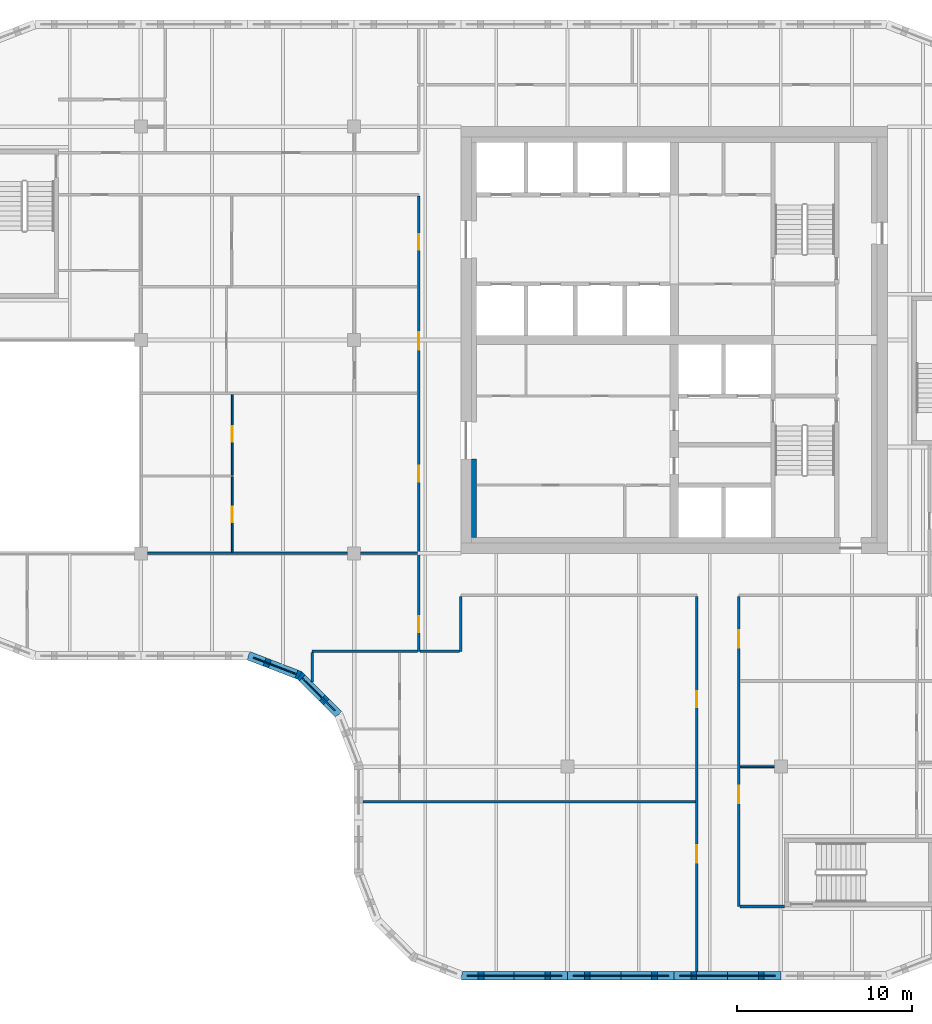
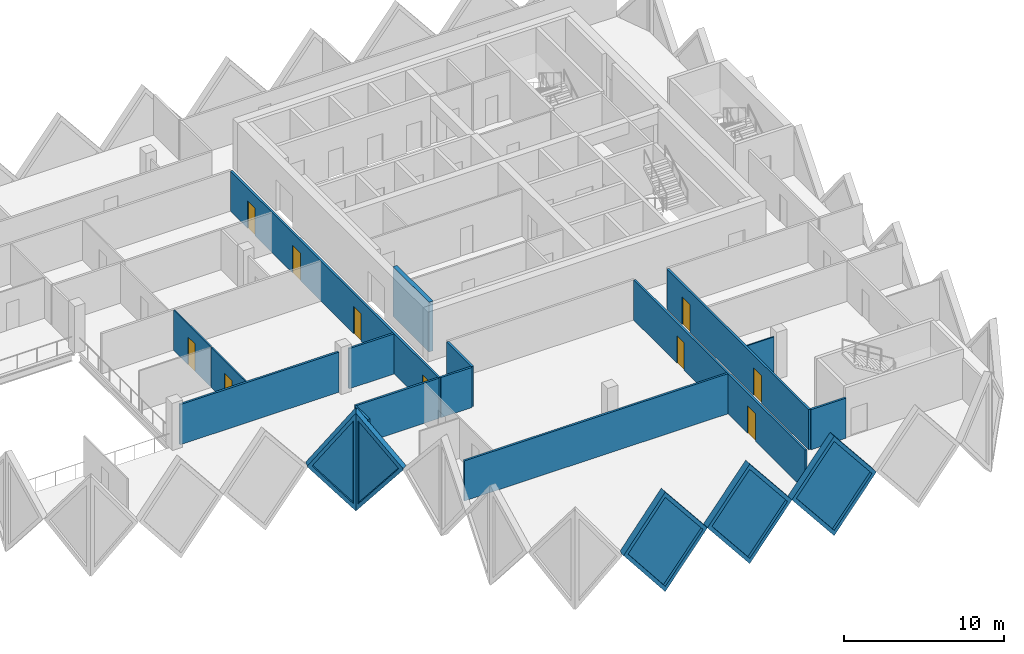
# One storey, part 4 of 12: 20 walls, 10 doors, 5 plates, 15 openings.
"""IFC4 building model written with IfcOpenShell, lengths in metres."""

from ifc_helpers import new_model, si_unit, direction, frame, frame_2d, origin, place, context, subcontext, project, spatial, polyline, rectangle, outline, extrude, faceted_brep, source, transform, mapped, material, layer, layer_set, type_object, element, fill, save


model = new_model("IFC4")

# Units and contexts
model_context = context("Model", 3, precision=1e-05, world=origin(), true_north=direction((0.0, 1.0)))
body_context = subcontext(model_context, "Body", "Model", "MODEL_VIEW")
ifc_project = project(units=[si_unit("LENGTHUNIT", "METRE"), si_unit("AREAUNIT", "SQUARE_METRE"), si_unit("VOLUMEUNIT", "CUBIC_METRE"), si_unit("PLANEANGLEUNIT", "RADIAN"), si_unit("MASSUNIT", "GRAM", prefix="KILO")], contexts=[model_context])

# Site, building, storey
site_placement = place(None, origin())
site = spatial("IfcSite", under=ifc_project, at=site_placement, CompositionType="ELEMENT")
building_placement = place(site_placement, origin())
building = spatial("IfcBuilding", under=site, at=building_placement, Name="Tessera Gate Towers", CompositionType="ELEMENT")
storey_placement = place(building_placement, frame((0.0, 0.0, 182.0)))
storey = spatial("IfcBuildingStorey", under=building, at=storey_placement, Name="L45", CompositionType="ELEMENT", Elevation=182.0)

# Wall
ifc_material_1 = material(Name="Concrete C50/60", Category="concrete")
ifc_layer_1 = layer(ifc_material_1, 0.300048828125)
ifc_layer_set_1 = layer_set([ifc_layer_1], Name="CORE WALL THICKENING 300")
wall_type_1 = type_object("IfcWallType", Name="CORE WALL THICKENING 300", PredefinedType="SOLIDWALL", material=ifc_layer_set_1)
wall_1_placement = place(storey_placement, frame((31.25, 25.300048828125, 0.0), z_axis=(0.0, 0.0, 1.0), x_axis=(0.0, 1.0, 0.0)))
element("IfcWall", 1, at=wall_1_placement, inside=storey, type_object=wall_type_1, Name="Core wall thickening W L45", PredefinedType="SOLIDWALL", context=body_context, shape_type="SweptSolid", body=[
    extrude(rectangle(XDim=4.5, YDim=0.300048828125, at=frame_2d((2.25, 0.0))), origin(), (0.0, 0.0, 1.0), 3.800048828125),
])

# Wall, openings, doors
ifc_material_2 = material(Name="Gypsum board on steel studs, mineral wool", Category="steel")
ifc_layer_2 = layer(ifc_material_2, 0.14990234375)
ifc_layer_set_2 = layer_set([ifc_layer_2], Name="CORRIDOR WALL 150")
wall_type_2 = type_object("IfcWallType", Name="CORRIDOR WALL 150", PredefinedType="PARTITIONING", material=ifc_layer_set_2)
wall_2_placement = place(storey_placement, frame((44.0, 0.5, 0.0), z_axis=(0.0, 0.0, 1.0), x_axis=(0.0, 1.0, 0.0)))
wall_2 = element("IfcWall", 2, at=wall_2_placement, inside=storey, type_object=wall_type_2, Name="T1-L45-PW-001", PredefinedType="PARTITIONING", context=body_context, shape_type="SweptSolid", body=[
    extrude(rectangle(XDim=21.424072265625, YDim=0.14990234375, at=frame_2d((10.7119140625, 0.0))), origin(), (0.0, 0.0, 1.0), 3.06689453125),
])
shared_shape_1 = source(origin(), body_context, "Body", "SweptSolid", [
    extrude(rectangle(XDim=1.0, YDim=2.10009765625, at=frame_2d((0.5, 1.050048828125))), frame((0.0, 0.0849609375, 0.0), z_axis=(0.0, -1.0, 0.0), x_axis=(1.0, 0.0, 0.0)), (0.0, 0.0, 1.0), 0.169921875),
])
opening_1_placement = place(wall_2_placement, frame((6.199951171875, 0.0, 0.0)))
opening_1 = element("IfcOpeningElement", 3, at=opening_1_placement, cuts=wall_2, Name="Opening D2100FD60-A16-02", PredefinedType="OPENING", context=body_context, shape_type="MappedRepresentation", body=[
    mapped(shared_shape_1, transform((0.0, 0.0, 0.0), scale=1.0)),
])
shared_shape_2 = source(origin(), body_context, "Body", "SweptSolid", [
    extrude(rectangle(XDim=0.89990234375, YDim=2.10009765625, at=frame_2d((0.449951171875, 1.050048828125))), frame((0.0, 0.0849609375, 0.0), z_axis=(0.0, -1.0, 0.0), x_axis=(1.0, 0.0, 0.0)), (0.0, 0.0, 1.0), 0.169921875),
])
opening_2_placement = place(wall_2_placement, frame((15.10009765625, 0.0, 0.0)))
opening_2 = element("IfcOpeningElement", 4, at=opening_2_placement, cuts=wall_2, Name="Opening D890FD60-A16-06", PredefinedType="OPENING", context=body_context, shape_type="MappedRepresentation", body=[
    mapped(shared_shape_2, transform((0.0, 0.0, 0.0), scale=1.0)),
])
ifc_material_3 = material(Name="Timber door leaf in steel frame", Category="steel")
door_type_1 = type_object("IfcDoorType", Name="CORRIDOR DOOR 900 FD60", OperationType="NOTDEFINED", PredefinedType="DOOR", material=ifc_material_3)
shared_shape_3 = source(origin(), body_context, "Body", "SweptSolid", [
    extrude(rectangle(XDim=0.89990234375, YDim=2.10009765625, at=frame_2d((0.449951171875, 1.050048828125))), frame((0.0, 0.02490234375, 0.0), z_axis=(0.0, -1.0, 0.0), x_axis=(1.0, 0.0, 0.0)), (0.0, 0.0, 1.0), 0.050048828125),
])
door_1_placement = place(opening_2_placement, origin())
door_1 = element("IfcDoor", 5, at=door_1_placement, inside=storey, type_object=door_type_1, Name="T1-L45-PD-023", OperationType="SINGLE_SWING_LEFT", OverallHeight=2.10009765625, OverallWidth=0.89990234375, PredefinedType="DOOR", context=body_context, shape_type="MappedRepresentation", body=[
    mapped(shared_shape_3, transform((0.0, 0.0, 0.0), scale=1.0)),
])
fill(opening_2, door_1)
ifc_material_4 = material(Name="Timber door leaf in steel frame", Category="steel")
door_type_2 = type_object("IfcDoorType", Name="TENANCY ENTRANCE DOOR 1000 FD60", OperationType="NOTDEFINED", PredefinedType="DOOR", material=ifc_material_4)
shared_shape_4 = source(origin(), body_context, "Body", "SweptSolid", [
    extrude(rectangle(XDim=1.0, YDim=2.10009765625, at=frame_2d((0.5, 1.050048828125))), frame((0.0, 0.02490234375, 0.0), z_axis=(0.0, -1.0, 0.0), x_axis=(1.0, 0.0, 0.0)), (0.0, 0.0, 1.0), 0.050048828125),
])
door_2_placement = place(opening_1_placement, origin())
door_2 = element("IfcDoor", 6, at=door_2_placement, inside=storey, type_object=door_type_2, Name="T1-L45-PD-017", OperationType="SINGLE_SWING_LEFT", OverallHeight=2.10009765625, OverallWidth=1.0, PredefinedType="DOOR", context=body_context, shape_type="MappedRepresentation", body=[
    mapped(shared_shape_4, transform((0.0, 0.0, 0.0), scale=1.0)),
])
fill(opening_1, door_2)

wall_3_placement = place(storey_placement, frame((46.39990234375, 21.924072265625, 0.0), z_axis=(0.0, 0.0, 1.0), x_axis=(0.0, -1.0, 0.0)))
wall_3 = element("IfcWall", 7, at=wall_3_placement, inside=storey, type_object=wall_type_2, Name="T1-L45-PW-003", PredefinedType="PARTITIONING", context=body_context, shape_type="SweptSolid", body=[
    extrude(rectangle(XDim=17.72412109375, YDim=0.14990234375, at=frame_2d((8.862060546875, 0.0))), origin(), (0.0, 0.0, 1.0), 3.06689453125),
])
opening_3_placement = place(wall_3_placement, frame((1.923095703125, 0.0, 0.0)))
opening_3 = element("IfcOpeningElement", 8, at=opening_3_placement, cuts=wall_3, Name="Opening D2100FD60-A16-01", PredefinedType="OPENING", context=body_context, shape_type="MappedRepresentation", body=[
    mapped(shared_shape_1, transform((0.0, 0.0, 0.0), scale=1.0)),
])
opening_4_placement = place(wall_3_placement, frame((10.823974609375, 0.0, 0.0)))
opening_4 = element("IfcOpeningElement", 9, at=opening_4_placement, cuts=wall_3, Name="Opening D2100FD60-A16-05", PredefinedType="OPENING", context=body_context, shape_type="MappedRepresentation", body=[
    mapped(shared_shape_1, transform((0.0, 0.0, 0.0), scale=1.0)),
])
door_3_placement = place(opening_3_placement, origin())
door_3 = element("IfcDoor", 10, at=door_3_placement, inside=storey, type_object=door_type_2, Name="T1-L45-PD-010", OperationType="SINGLE_SWING_RIGHT", OverallHeight=2.10009765625, OverallWidth=1.0, PredefinedType="DOOR", context=body_context, shape_type="MappedRepresentation", body=[
    mapped(shared_shape_4, transform((0.0, 0.0, 0.0), scale=1.0)),
])
fill(opening_3, door_3)
door_4_placement = place(opening_4_placement, origin())
door_4 = element("IfcDoor", 11, at=door_4_placement, inside=storey, type_object=door_type_2, Name="T1-L45-PD-025", OperationType="SINGLE_SWING_RIGHT", OverallHeight=2.10009765625, OverallWidth=1.0, PredefinedType="DOOR", context=body_context, shape_type="MappedRepresentation", body=[
    mapped(shared_shape_4, transform((0.0, 0.0, 0.0), scale=1.0)),
])
fill(opening_4, door_4)

# Wall
wall_4_placement = place(storey_placement, frame((46.47607421875, 4.199951171875, 0.0), z_axis=(0.0, 0.0, 1.0), x_axis=(1.0, 0.0, 0.0)))
element("IfcWall", 12, at=wall_4_placement, inside=storey, type_object=wall_type_2, Name="T1-L45-PW-004", PredefinedType="PARTITIONING", context=body_context, shape_type="SweptSolid", body=[
    extrude(rectangle(XDim=2.52392578125, YDim=0.14990234375, at=frame_2d((1.261962890625, 0.0))), origin(), (0.0, 0.0, 1.0), 3.06689453125),
])

# Wall, openings, doors
wall_5_placement = place(storey_placement, frame((28.10009765625, 18.800048828125, 0.0), z_axis=(0.0, 0.0, 1.0), x_axis=(0.0, 1.0, 0.0)))
wall_5 = element("IfcWall", 13, at=wall_5_placement, inside=storey, type_object=wall_type_2, Name="T1-L45-PW-016", PredefinedType="PARTITIONING", context=body_context, shape_type="SweptSolid", body=[
    extrude(rectangle(XDim=26.02392578125, YDim=0.14990234375, at=frame_2d((13.011962890625, 0.0))), origin(), (0.0, 0.0, 1.0), 3.06689453125),
])
opening_5_placement = place(wall_5_placement, frame((1.10009765625, 0.0, 0.0)))
opening_5 = element("IfcOpeningElement", 14, at=opening_5_placement, cuts=wall_5, Name="Opening D890FD60-A16-01", PredefinedType="OPENING", context=body_context, shape_type="MappedRepresentation", body=[
    mapped(shared_shape_2, transform((0.0, 0.0, 0.0), scale=1.0)),
])
opening_6_placement = place(wall_5_placement, frame((22.950927734375, 0.0, 0.0)))
opening_6 = element("IfcOpeningElement", 15, at=opening_6_placement, cuts=wall_5, Name="Opening D890FD60-A16-03", PredefinedType="OPENING", context=body_context, shape_type="MappedRepresentation", body=[
    mapped(shared_shape_2, transform((0.0, 0.0, 0.0), scale=1.0)),
])
opening_7_placement = place(wall_5_placement, frame((17.2509765625, 0.0, 0.0)))
opening_7 = element("IfcOpeningElement", 16, at=opening_7_placement, cuts=wall_5, Name="Opening D2100FD60-A16-04", PredefinedType="OPENING", context=body_context, shape_type="MappedRepresentation", body=[
    mapped(shared_shape_1, transform((0.0, 0.0, 0.0), scale=1.0)),
])
opening_8_placement = place(wall_5_placement, frame((9.699951171875, 0.0, 0.0)))
opening_8 = element("IfcOpeningElement", 17, at=opening_8_placement, cuts=wall_5, Name="Opening D890FD60-A16-05", PredefinedType="OPENING", context=body_context, shape_type="MappedRepresentation", body=[
    mapped(shared_shape_2, transform((0.0, 0.0, 0.0), scale=1.0)),
])
door_5_placement = place(opening_5_placement, origin())
door_5 = element("IfcDoor", 18, at=door_5_placement, inside=storey, type_object=door_type_1, Name="T1-L45-PD-001", OperationType="SINGLE_SWING_LEFT", OverallHeight=2.10009765625, OverallWidth=0.89990234375, PredefinedType="DOOR", context=body_context, shape_type="MappedRepresentation", body=[
    mapped(shared_shape_3, transform((0.0, 0.0, 0.0), scale=1.0)),
])
fill(opening_5, door_5)
door_6_placement = place(opening_6_placement, origin())
door_6 = element("IfcDoor", 19, at=door_6_placement, inside=storey, type_object=door_type_1, Name="T1-L45-PD-013", OperationType="SINGLE_SWING_LEFT", OverallHeight=2.10009765625, OverallWidth=0.89990234375, PredefinedType="DOOR", context=body_context, shape_type="MappedRepresentation", body=[
    mapped(shared_shape_3, transform((0.0, 0.0, 0.0), scale=1.0)),
])
fill(opening_6, door_6)
door_7_placement = place(opening_8_placement, origin())
door_7 = element("IfcDoor", 20, at=door_7_placement, inside=storey, type_object=door_type_1, Name="T1-L45-PD-022", OperationType="SINGLE_SWING_LEFT", OverallHeight=2.10009765625, OverallWidth=0.89990234375, PredefinedType="DOOR", context=body_context, shape_type="MappedRepresentation", body=[
    mapped(shared_shape_3, transform((0.0, 0.0, 0.0), scale=1.0)),
])
fill(opening_8, door_7)
door_8_placement = place(opening_7_placement, origin())
door_8 = element("IfcDoor", 21, at=door_8_placement, inside=storey, type_object=door_type_2, Name="T1-L45-PD-019", OperationType="SINGLE_SWING_LEFT", OverallHeight=2.10009765625, OverallWidth=1.0, PredefinedType="DOOR", context=body_context, shape_type="MappedRepresentation", body=[
    mapped(shared_shape_4, transform((0.0, 0.0, 0.0), scale=1.0)),
])
fill(opening_7, door_8)

# Walls
wall_6_placement = place(storey_placement, frame((28.176025390625, 18.800048828125, 0.0), z_axis=(0.0, 0.0, 1.0), x_axis=(1.0, 0.0, 0.0)))
element("IfcWall", 22, at=wall_6_placement, inside=storey, type_object=wall_type_2, Name="T1-L45-PW-017", PredefinedType="PARTITIONING", context=body_context, shape_type="SweptSolid", body=[
    extrude(rectangle(XDim=2.248046875, YDim=0.14990234375, at=frame_2d((1.1240234375, 0.0))), origin(), (0.0, 0.0, 1.0), 3.06689453125),
])
wall_7_placement = place(storey_placement, frame((30.5, 18.800048828125, 0.0), z_axis=(0.0, 0.0, 1.0), x_axis=(0.0, 1.0, 0.0)))
element("IfcWall", 23, at=wall_7_placement, inside=storey, type_object=wall_type_2, Name="T1-L45-PW-018", PredefinedType="PARTITIONING", context=body_context, shape_type="SweptSolid", body=[
    extrude(rectangle(XDim=3.1240234375, YDim=0.14990234375, at=frame_2d((1.56201171875, 0.0))), origin(), (0.0, 0.0, 1.0), 3.06689453125),
])
ifc_material_5 = material(Name="Gypsum board on steel studs", Category="steel")
ifc_layer_3 = layer(ifc_material_5, 0.10009765625)
ifc_layer_set_3 = layer_set([ifc_layer_3], Name="PARTITION 100")
wall_type_3 = type_object("IfcWallType", Name="PARTITION 100", PredefinedType="PARTITIONING", material=ifc_layer_set_3)
wall_8_placement = place(storey_placement, frame((48.425048828125, 12.199951171875, 0.0), z_axis=(0.0, 0.0, 1.0), x_axis=(-1.0, 0.0, 0.0)))
element("IfcWall", 24, at=wall_8_placement, inside=storey, type_object=wall_type_3, Name="T1-L45-PW-008", PredefinedType="PARTITIONING", context=body_context, shape_type="SweptSolid", body=[
    extrude(rectangle(XDim=1.949951171875, YDim=0.10009765625, at=frame_2d((0.97509765625, 0.0))), origin(), (0.0, 0.0, 1.0), 3.06689453125),
])

# Wall, opening, door
wall_9_placement = place(storey_placement, frame((17.425048828125, 24.47607421875, 0.0), z_axis=(0.0, 0.0, 1.0), x_axis=(0.0, 1.0, 0.0)))
wall_9 = element("IfcWall", 25, at=wall_9_placement, inside=storey, type_object=wall_type_3, Name="T1-L45-PW-026", PredefinedType="PARTITIONING", context=body_context, shape_type="SweptSolid", body=[
    extrude(rectangle(XDim=4.293212890625, YDim=0.10009765625, at=frame_2d((2.146484375, 0.0))), origin(), (0.0, 0.0, 1.0), 3.06689453125),
])
shared_shape_5 = source(origin(), body_context, "Body", "SweptSolid", [
    extrude(rectangle(XDim=0.89990234375, YDim=2.10009765625, at=frame_2d((0.449951171875, 1.050048828125))), frame((0.0, 0.06005859375, 0.0), z_axis=(0.0, -1.0, 0.0), x_axis=(1.0, 0.0, 0.0)), (0.0, 0.0, 1.0), 0.1201171875),
])
opening_9_placement = place(wall_9_placement, frame((1.699951171875, 0.0, 0.0)))
opening_9 = element("IfcOpeningElement", 26, at=opening_9_placement, cuts=wall_9, Name="Opening D190-A16-02", PredefinedType="OPENING", context=body_context, shape_type="MappedRepresentation", body=[
    mapped(shared_shape_5, transform((0.0, 0.0, 0.0), scale=1.0)),
])
ifc_material_6 = material(Name="Timber door leaf in steel frame", Category="steel")
door_type_3 = type_object("IfcDoorType", Name="INTERNAL DOOR 900 NOT RATED", OperationType="NOTDEFINED", PredefinedType="DOOR", material=ifc_material_6)
door_9_placement = place(opening_9_placement, origin())
door_9 = element("IfcDoor", 27, at=door_9_placement, inside=storey, type_object=door_type_3, Name="T1-L45-PD-003", OperationType="SINGLE_SWING_LEFT", OverallHeight=2.10009765625, OverallWidth=0.89990234375, PredefinedType="DOOR", context=body_context, shape_type="MappedRepresentation", body=[
    mapped(shared_shape_3, transform((0.0, 0.0, 0.0), scale=1.0)),
])
fill(opening_9, door_9)

wall_10_placement = place(storey_placement, frame((17.425048828125, 28.871337890625, 0.0), z_axis=(0.0, 0.0, 1.0), x_axis=(0.0, 1.0, 0.0)))
wall_10 = element("IfcWall", 28, at=wall_10_placement, inside=storey, type_object=wall_type_3, Name="T1-L45-PW-028", PredefinedType="PARTITIONING", context=body_context, shape_type="SweptSolid", body=[
    extrude(rectangle(XDim=4.602783203125, YDim=0.10009765625, at=frame_2d((2.30126953125, 0.0))), origin(), (0.0, 0.0, 1.0), 3.06689453125),
])
opening_10_placement = place(wall_10_placement, frame((1.89990234375, 0.0, 0.0)))
opening_10 = element("IfcOpeningElement", 29, at=opening_10_placement, cuts=wall_10, Name="Opening D190-A16-06", PredefinedType="OPENING", context=body_context, shape_type="MappedRepresentation", body=[
    mapped(shared_shape_5, transform((0.0, 0.0, 0.0), scale=1.0)),
])
door_10_placement = place(opening_10_placement, origin())
door_10 = element("IfcDoor", 30, at=door_10_placement, inside=storey, type_object=door_type_3, Name="T1-L45-PD-007", OperationType="SINGLE_SWING_LEFT", OverallHeight=2.10009765625, OverallWidth=0.89990234375, PredefinedType="DOOR", context=body_context, shape_type="MappedRepresentation", body=[
    mapped(shared_shape_3, transform((0.0, 0.0, 0.0), scale=1.0)),
])
fill(opening_10, door_10)

# Walls
ifc_material_7 = material(Name="Gypsum board on steel studs, mineral wool", Category="steel")
ifc_layer_4 = layer(ifc_material_7, 0.14990234375)
ifc_layer_set_4 = layer_set([ifc_layer_4], Name="TENANCY WALL 150")
wall_type_4 = type_object("IfcWallType", Name="TENANCY WALL 150", PredefinedType="PARTITIONING", material=ifc_layer_set_4)
wall_11_placement = place(storey_placement, frame((24.89990234375, 10.199951171875, 0.0), z_axis=(0.0, 0.0, 1.0), x_axis=(1.0, 0.0, 0.0)))
element("IfcWall", 31, at=wall_11_placement, inside=storey, type_object=wall_type_4, Name="T1-L45-PW-006", PredefinedType="PARTITIONING", context=body_context, shape_type="SweptSolid", body=[
    extrude(rectangle(XDim=19.024169921875, YDim=0.14990234375, at=frame_2d((9.51220703125, 0.0))), origin(), (0.0, 0.0, 1.0), 3.06689453125),
])
wall_12_placement = place(storey_placement, frame((22.0, 17.054931640625, 0.0), z_axis=(0.0, 0.0, 1.0), x_axis=(0.0, 1.0, 0.0)))
element("IfcWall", 32, at=wall_12_placement, inside=storey, type_object=wall_type_4, Name="T1-L45-PW-011", PredefinedType="PARTITIONING", context=body_context, shape_type="SweptSolid", body=[
    extrude(rectangle(XDim=1.669189453125, YDim=0.14990234375, at=frame_2d((0.83447265625, 0.0))), origin(), (0.0, 0.0, 1.0), 3.06689453125),
])
wall_13_placement = place(storey_placement, frame((22.0, 18.800048828125, 0.0), z_axis=(0.0, 0.0, 1.0), x_axis=(1.0, 0.0, 0.0)))
element("IfcWall", 33, at=wall_13_placement, inside=storey, type_object=wall_type_4, Name="T1-L45-PW-015", PredefinedType="PARTITIONING", context=body_context, shape_type="SweptSolid", body=[
    extrude(rectangle(XDim=6.02392578125, YDim=0.14990234375, at=frame_2d((3.011962890625, 0.0))), origin(), (0.0, 0.0, 1.0), 3.06689453125),
])
wall_14_placement = place(storey_placement, frame((12.575927734375, 24.39990234375, 0.0), z_axis=(0.0, 0.0, 1.0), x_axis=(1.0, 0.0, 0.0)))
element("IfcWall", 34, at=wall_14_placement, inside=storey, type_object=wall_type_4, Name="T1-L45-PW-024", PredefinedType="PARTITIONING", context=body_context, shape_type="SweptSolid", body=[
    extrude(rectangle(XDim=11.447998046875, YDim=0.14990234375, at=frame_2d((5.72412109375, 0.0))), origin(), (0.0, 0.0, 1.0), 3.06689453125),
])
wall_15_placement = place(storey_placement, frame((24.77587890625, 24.39990234375, 0.0), z_axis=(0.0, 0.0, 1.0), x_axis=(1.0, 0.0, 0.0)))
element("IfcWall", 35, at=wall_15_placement, inside=storey, type_object=wall_type_4, Name="T1-L45-PW-025", PredefinedType="PARTITIONING", context=body_context, shape_type="SweptSolid", body=[
    extrude(rectangle(XDim=3.248046875, YDim=0.14990234375, at=frame_2d((1.6240234375, 0.0))), origin(), (0.0, 0.0, 1.0), 3.06689453125),
])

# Wall, opening, plate
ifc_material_8 = material(Name="Precast concrete C60/75 white", Category="concrete")
ifc_layer_5 = layer(ifc_material_8, 0.5)
ifc_layer_set_5 = layer_set([ifc_layer_5], Name="TS1 tessera")
wall_type_5 = type_object("IfcWallType", Name="TS1 tessera", PredefinedType="SOLIDWALL", material=ifc_layer_set_5)
shared_shape_6 = source(origin(), body_context, "Body", "Brep", [
    faceted_brep([(3.00341796875, -0.25, 0.0), (6.053466796875, -0.25, 3.800048828125), (3.00341796875, -0.25, 7.60009765625), (0.0, -0.25, 3.800048828125), (0.046630859375, 0.25, 3.85888671875), (3.00341796875, 0.25, 7.60009765625), (6.053466796875, 0.25, 3.800048828125), (3.00341796875, 0.25, 0.0), (0.046630859375, 0.25, 3.7412109375), (0.0, 0.0, 3.800048828125)], [[[0, 1, 2, 3]], [[4, 5, 6, 7, 8]], [[7, 6, 1, 0]], [[6, 5, 2, 1]], [[5, 4, 9, 3, 2]], [[8, 7, 0, 3, 9]], [[8, 9, 4]]]),
])
wall_16_placement = place(storey_placement, frame((30.546630859375, 0.25, -3.800048828125), z_axis=(0.0, 0.0, 1.0), x_axis=(1.0, 0.0, 0.0)))
wall_16 = element("IfcWall", 36, at=wall_16_placement, inside=storey, type_object=wall_type_5, Name="Precast tessera T1 TS1-0782", PredefinedType="SOLIDWALL", context=body_context, shape_type="MappedRepresentation", body=[
    mapped(shared_shape_6, transform((0.0, 0.0, 0.0), scale=1.0)),
])
shared_shape_7 = source(origin(), body_context, "Body", "SweptSolid", [
    extrude(outline(polyline([(3.0048828125, 0.4013671875), (5.73291015625, 3.800048828125), (3.0048828125, 7.19873046875), (0.318603515625, 3.800048828125), (3.0048828125, 0.4013671875)])), frame((0.0, 0.260009765625, 0.0), z_axis=(0.0, -1.0, 0.0), x_axis=(1.0, 0.0, 0.0)), (0.0, 0.0, 1.0), 0.52001953125),
])
opening_11_placement = place(wall_16_placement, origin())
opening_11 = element("IfcOpeningElement", 37, at=opening_11_placement, cuts=wall_16, Name="Opening T1-PL2-1598", PredefinedType="OPENING", context=body_context, shape_type="MappedRepresentation", body=[
    mapped(shared_shape_7, transform((0.0, 0.0, 0.0), scale=1.0)),
])
ifc_material_9 = material(Name="Low-e laminated glass", Category="glass")
ifc_layer_6 = layer(ifc_material_9, 0.06005859375)
ifc_layer_set_6 = layer_set([ifc_layer_6], Name="PL2 rhombic pane")
plate_type = type_object("IfcPlateType", Name="PL2 rhombic pane", PredefinedType="SHEET", material=ifc_layer_set_6)
shared_shape_8 = source(origin(), body_context, "Body", "SweptSolid", [
    extrude(outline(polyline([(3.0048828125, 0.4013671875), (5.73291015625, 3.800048828125), (3.0048828125, 7.19873046875), (0.318603515625, 3.800048828125), (3.0048828125, 0.4013671875)])), frame((0.0, 0.030029296875, 0.0), z_axis=(0.0, -1.0, 0.0), x_axis=(1.0, 0.0, 0.0)), (0.0, 0.0, 1.0), 0.06005859375),
])
plate_1_placement = place(opening_11_placement, origin())
plate_1 = element("IfcPlate", 38, at=plate_1_placement, inside=storey, type_object=plate_type, Name="Glass pane T1 PL2-1598", PredefinedType="SHEET", context=body_context, shape_type="MappedRepresentation", body=[
    mapped(shared_shape_8, transform((0.0, 0.0, 0.0), scale=1.0)),
])
fill(opening_11, plate_1)

shared_shape_9 = source(origin(), body_context, "Body", "Brep", [
    faceted_brep([(3.050048828125, -0.25, 0.0), (6.099853515625, -0.25, 3.7998046875), (6.099853515625, -0.25, 3.80029296875), (3.050048828125, -0.25, 7.60009765625), (0.0, -0.25, 3.800048828125), (0.0, 0.25, 3.800048828125), (3.050048828125, 0.25, 7.60009765625), (6.099853515625, 0.25, 3.80029296875), (6.099853515625, 0.25, 3.7998046875), (3.050048828125, 0.25, 0.0)], [[[0, 1, 2, 3, 4]], [[5, 6, 7, 8, 9]], [[9, 8, 1, 0]], [[7, 6, 3, 2]], [[6, 5, 4, 3]], [[5, 9, 0, 4]], [[1, 8, 7, 2]]]),
])
wall_17_placement = place(storey_placement, frame((36.60009765625, 0.25, -3.800048828125), z_axis=(0.0, 0.0, 1.0), x_axis=(1.0, 0.0, 0.0)))
wall_17 = element("IfcWall", 39, at=wall_17_placement, inside=storey, type_object=wall_type_5, Name="Precast tessera T1 TS1-0783", PredefinedType="SOLIDWALL", context=body_context, shape_type="MappedRepresentation", body=[
    mapped(shared_shape_9, transform((0.0, 0.0, 0.0), scale=1.0)),
])
shared_shape_10 = source(origin(), body_context, "Body", "SweptSolid", [
    extrude(outline(polyline([(3.050048828125, 0.3994140625), (5.779541015625, 3.800048828125), (3.050048828125, 7.20068359375), (0.320556640625, 3.800048828125), (3.050048828125, 0.3994140625)])), frame((0.0, 0.260009765625, 0.0), z_axis=(0.0, -1.0, 0.0), x_axis=(1.0, 0.0, 0.0)), (0.0, 0.0, 1.0), 0.52001953125),
])
opening_12_placement = place(wall_17_placement, origin())
opening_12 = element("IfcOpeningElement", 40, at=opening_12_placement, cuts=wall_17, Name="Opening T1-PL2-1599", PredefinedType="OPENING", context=body_context, shape_type="MappedRepresentation", body=[
    mapped(shared_shape_10, transform((0.0, 0.0, 0.0), scale=1.0)),
])
shared_shape_11 = source(origin(), body_context, "Body", "SweptSolid", [
    extrude(outline(polyline([(3.050048828125, 0.3994140625), (5.779541015625, 3.800048828125), (3.050048828125, 7.20068359375), (0.320556640625, 3.800048828125), (3.050048828125, 0.3994140625)])), frame((0.0, 0.030029296875, 0.0), z_axis=(0.0, -1.0, 0.0), x_axis=(1.0, 0.0, 0.0)), (0.0, 0.0, 1.0), 0.06005859375),
])
plate_2_placement = place(opening_12_placement, origin())
plate_2 = element("IfcPlate", 41, at=plate_2_placement, inside=storey, type_object=plate_type, Name="Glass pane T1 PL2-1599", PredefinedType="SHEET", context=body_context, shape_type="MappedRepresentation", body=[
    mapped(shared_shape_11, transform((0.0, 0.0, 0.0), scale=1.0)),
])
fill(opening_12, plate_2)

shared_shape_12 = source(origin(), body_context, "Body", "SweptSolid", [
    extrude(outline(polyline([(3.050048828125, 0.0), (6.10009765625, 3.800048828125), (3.050048828125, 7.60009765625), (0.0, 3.800048828125), (3.050048828125, 0.0)])), frame((0.0, 0.25, 0.0), z_axis=(0.0, -1.0, 0.0), x_axis=(1.0, 0.0, 0.0)), (0.0, 0.0, 1.0), 0.5),
])
wall_18_placement = place(storey_placement, frame((42.699951171875, 0.25, -3.800048828125), z_axis=(0.0, 0.0, 1.0), x_axis=(1.0, 0.0, 0.0)))
wall_18 = element("IfcWall", 42, at=wall_18_placement, inside=storey, type_object=wall_type_5, Name="Precast tessera T1 TS1-0784", PredefinedType="SOLIDWALL", context=body_context, shape_type="MappedRepresentation", body=[
    mapped(shared_shape_12, transform((0.0, 0.0, 0.0), scale=1.0)),
])
opening_13_placement = place(wall_18_placement, origin())
opening_13 = element("IfcOpeningElement", 43, at=opening_13_placement, cuts=wall_18, Name="Opening T1-PL2-1600", PredefinedType="OPENING", context=body_context, shape_type="MappedRepresentation", body=[
    mapped(shared_shape_10, transform((0.0, 0.0, 0.0), scale=1.0)),
])
plate_3_placement = place(opening_13_placement, origin())
plate_3 = element("IfcPlate", 44, at=plate_3_placement, inside=storey, type_object=plate_type, Name="Glass pane T1 PL2-1600", PredefinedType="SHEET", context=body_context, shape_type="MappedRepresentation", body=[
    mapped(shared_shape_11, transform((0.0, 0.0, 0.0), scale=1.0)),
])
fill(opening_13, plate_3)

ifc_material_10 = material(Name="Precast concrete C60/75 white", Category="concrete")
ifc_layer_7 = layer(ifc_material_10, 0.5)
ifc_layer_set_7 = layer_set([ifc_layer_7], Name="TS3 corner tessera")
wall_type_6 = type_object("IfcWallType", Name="TS3 corner tessera", PredefinedType="SOLIDWALL", material=ifc_layer_set_7)
shared_shape_13 = source(origin(), body_context, "Body", "Brep", [
    faceted_brep([(3.096435546875, -0.25, 7.536376953125), (0.046630859375, -0.25, 3.856201171875), (0.046630859375, -0.25, 3.743896484375), (3.096435546875, -0.25, 0.063720703125), (0.0, 0.25, 3.800048828125), (3.1494140625, 0.25, 7.60009765625), (3.202392578125, 0.25, 7.536376953125), (3.202392578125, 0.25, 0.063720703125), (3.1494140625, 0.25, 0.0), (3.1494140625, -0.000244140625, 0.0), (3.1494140625, -0.000244140625, 7.60009765625), (0.0, 0.0, 3.800048828125)], [[[0, 1, 2, 3]], [[4, 5, 6, 7, 8]], [[8, 7, 9]], [[6, 5, 10]], [[5, 4, 11, 1, 0, 10]], [[4, 8, 9, 3, 2, 11]], [[11, 2, 1]], [[3, 9, 7, 6, 10, 0]]]),
])
wall_19_placement = place(storey_placement, frame((18.346435546875, 18.550048828125, -3.800048828125), z_axis=(0.0, 0.0, 1.0), x_axis=(0.932985567668, -0.359913782069, 0.0)))
wall_19 = element("IfcWall", 45, at=wall_19_placement, inside=storey, type_object=wall_type_6, Name="Precast corner tessera T1 TS3-1049", PredefinedType="SOLIDWALL", context=body_context, shape_type="MappedRepresentation", body=[
    mapped(shared_shape_13, transform((0.0, 0.0, 0.0), scale=1.0)),
])
shared_shape_14 = source(origin(), body_context, "Body", "SweptSolid", [
    extrude(outline(polyline([(2.949462890625, 6.967041015625), (0.32470703125, 3.800048828125), (2.949462890625, 0.633056640625), (2.949462890625, 6.967041015625)])), frame((0.0, 0.260009765625, 0.0), z_axis=(0.0, -1.0, 0.0), x_axis=(1.0, 0.0, 0.0)), (0.0, 0.0, 1.0), 0.52001953125),
])
opening_14_placement = place(wall_19_placement, origin())
opening_14 = element("IfcOpeningElement", 46, at=opening_14_placement, cuts=wall_19, Name="Opening T1-PL2-1637", PredefinedType="OPENING", context=body_context, shape_type="MappedRepresentation", body=[
    mapped(shared_shape_14, transform((0.0, 0.0, 0.0), scale=1.0)),
])
shared_shape_15 = source(origin(), body_context, "Body", "SweptSolid", [
    extrude(outline(polyline([(2.949462890625, 6.967041015625), (0.32470703125, 3.800048828125), (2.949462890625, 0.633056640625), (2.949462890625, 6.967041015625)])), frame((0.0, 0.030029296875, 0.0), z_axis=(0.0, -1.0, 0.0), x_axis=(1.0, 0.0, 0.0)), (0.0, 0.0, 1.0), 0.06005859375),
])
plate_4_placement = place(opening_14_placement, origin())
plate_4 = element("IfcPlate", 47, at=plate_4_placement, inside=storey, type_object=plate_type, Name="Glass pane T1 PL2-1637", PredefinedType="SHEET", context=body_context, shape_type="MappedRepresentation", body=[
    mapped(shared_shape_15, transform((0.0, 0.0, 0.0), scale=1.0)),
])
fill(opening_14, plate_4)

shared_shape_16 = source(origin(), body_context, "Body", "Brep", [
    faceted_brep([(0.10595703125, -0.25, 0.063720703125), (3.156005859375, -0.25, 3.736328125), (3.156005859375, -0.25, 3.86376953125), (0.10595703125, -0.25, 7.536376953125), (0.0, 0.25, 7.5361328125), (0.052978515625, 0.25, 7.60009765625), (3.208740234375, 0.25, 3.800048828125), (0.052978515625, 0.25, 0.0), (0.0, 0.25, 0.06396484375), (3.208740234375, -0.00048828125, 3.800048828125), (0.052978515625, 0.0, 0.0), (0.052978515625, 0.0, 7.60009765625)], [[[0, 1, 2, 3]], [[4, 5, 6, 7, 8]], [[7, 6, 9, 1, 0, 10]], [[6, 5, 11, 3, 2, 9]], [[5, 4, 11]], [[8, 7, 10]], [[8, 10, 0, 3, 11, 4]], [[1, 9, 2]]]),
])
wall_20_placement = place(storey_placement, frame((21.24755859375, 17.453857421875, -3.800048828125), z_axis=(0.0, 0.0, 1.0), x_axis=(0.707106781187, -0.707106781187, 0.0)))
wall_20 = element("IfcWall", 48, at=wall_20_placement, inside=storey, type_object=wall_type_6, Name="Precast corner tessera T1 TS3-1050", PredefinedType="SOLIDWALL", context=body_context, shape_type="MappedRepresentation", body=[
    mapped(shared_shape_16, transform((0.0, 0.0, 0.0), scale=1.0)),
])
shared_shape_17 = source(origin(), body_context, "Body", "SweptSolid", [
    extrude(outline(polyline([(0.2529296875, 0.632080078125), (2.8837890625, 3.800048828125), (0.2529296875, 6.968017578125), (0.2529296875, 0.632080078125)])), frame((0.0, 0.260009765625, 0.0), z_axis=(0.0, -1.0, 0.0), x_axis=(1.0, 0.0, 0.0)), (0.0, 0.0, 1.0), 0.52001953125),
])
opening_15_placement = place(wall_20_placement, origin())
opening_15 = element("IfcOpeningElement", 49, at=opening_15_placement, cuts=wall_20, Name="Opening T1-PL2-1638", PredefinedType="OPENING", context=body_context, shape_type="MappedRepresentation", body=[
    mapped(shared_shape_17, transform((0.0, 0.0, 0.0), scale=1.0)),
])
shared_shape_18 = source(origin(), body_context, "Body", "SweptSolid", [
    extrude(outline(polyline([(0.2529296875, 0.632080078125), (2.8837890625, 3.800048828125), (0.2529296875, 6.968017578125), (0.2529296875, 0.632080078125)])), frame((0.0, 0.030029296875, 0.0), z_axis=(0.0, -1.0, 0.0), x_axis=(1.0, 0.0, 0.0)), (0.0, 0.0, 1.0), 0.06005859375),
])
plate_5_placement = place(opening_15_placement, origin())
plate_5 = element("IfcPlate", 50, at=plate_5_placement, inside=storey, type_object=plate_type, Name="Glass pane T1 PL2-1638", PredefinedType="SHEET", context=body_context, shape_type="MappedRepresentation", body=[
    mapped(shared_shape_18, transform((0.0, 0.0, 0.0), scale=1.0)),
])
fill(opening_15, plate_5)

save(model, "model.ifc")
